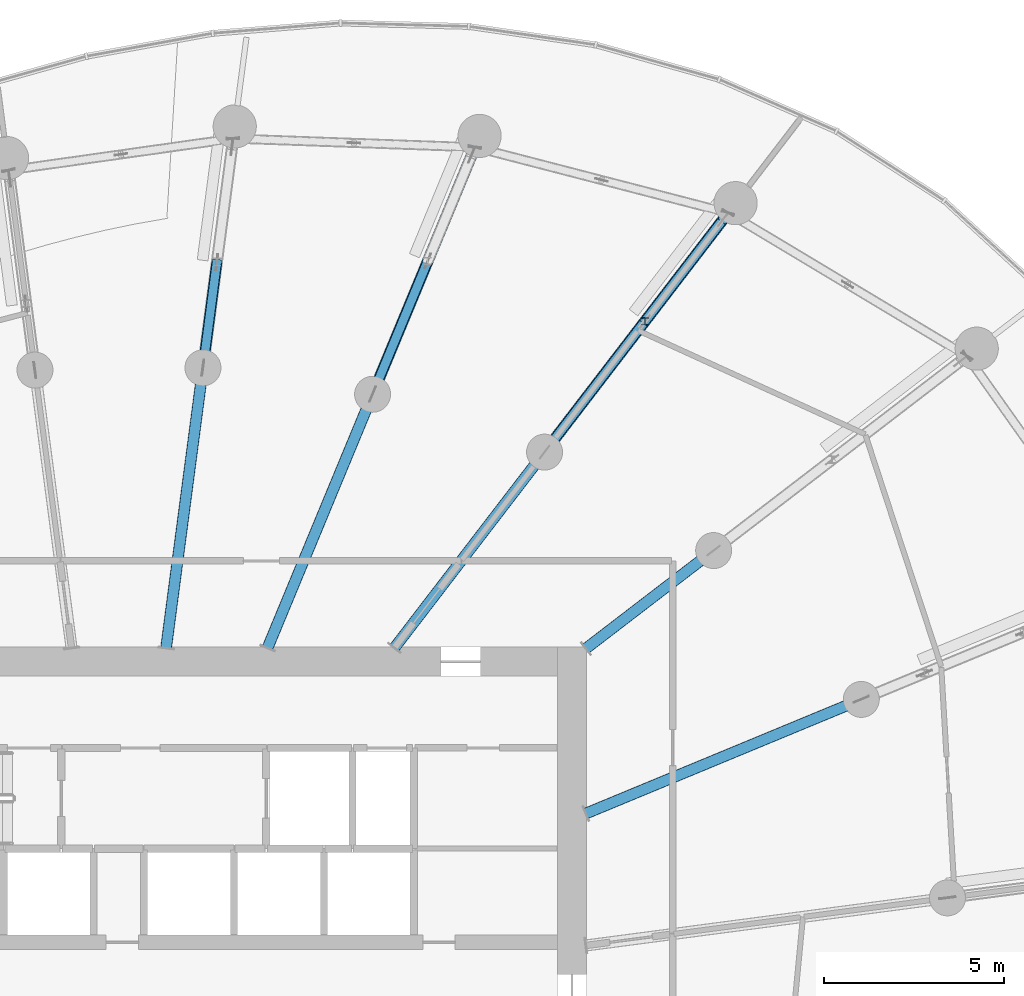
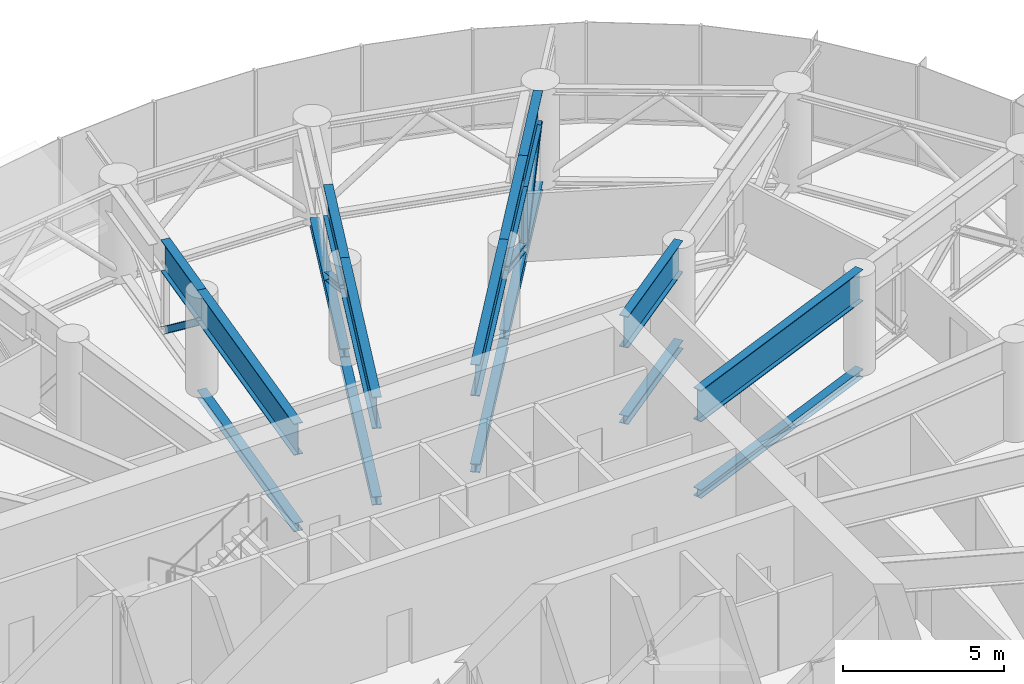
# One storey, part 10 of 33: 12 members, 9 beams.
"""IFC4 building model written with IfcOpenShell, lengths in metres."""

from ifc_helpers import new_model, si_unit, direction, frame, origin, origin_2d, place, context, subcontext, project, spatial, i_section, extrude, source, transform, mapped, material, material_profile, profile_set, type_object, element, save


model = new_model("IFC4")

# Units and contexts
model_context = context("Model", 3, precision=1e-05, world=origin(), true_north=direction((0.0, 1.0)))
body_context = subcontext(model_context, "Body", "Model", "MODEL_VIEW")
ifc_project = project(units=[si_unit("LENGTHUNIT", "METRE"), si_unit("AREAUNIT", "SQUARE_METRE"), si_unit("VOLUMEUNIT", "CUBIC_METRE"), si_unit("PLANEANGLEUNIT", "RADIAN"), si_unit("MASSUNIT", "GRAM", prefix="KILO")], contexts=[model_context])

# Site, building, storey
site_placement = place(None, origin())
site = spatial("IfcSite", under=ifc_project, at=site_placement, CompositionType="ELEMENT")
building_placement = place(site_placement, origin())
building = spatial("IfcBuilding", under=site, at=building_placement, Name="Spindrift Exchange Tower", CompositionType="ELEMENT")
storey_placement = place(building_placement, frame((0.0, 0.0, 129.0)))
storey = spatial("IfcBuildingStorey", under=building, at=storey_placement, Name="L30", CompositionType="ELEMENT", Elevation=129.0)

# Beams
ifc_material = material(Name="Steel Grade 300", Category="steel")
ifc_material_profile_1 = material_profile(ifc_material, i_section(OverallWidth=0.300048828125, OverallDepth=1.199951171875, WebThickness=0.011962890625, FlangeThickness=0.028076171875, at=origin_2d()), Name="1200WB249")
ifc_profile_set_1 = profile_set([ifc_material_profile_1], Name="Steel Grade 300")
beam_type = type_object("IfcBeamType", Name="Outrigger Truss Transfer Girder 1200WB249 Steel Grade 300", PredefinedType="BEAM", material=ifc_profile_set_1)
shared_shape_1 = source(origin(), body_context, "Body", "SweptSolid", [
    extrude(i_section(OverallWidth=0.300048828125, OverallDepth=1.199951171875, WebThickness=0.011962890625, FlangeThickness=0.028076171875, at=origin_2d()), origin(), (0.0, 0.0, 1.0), 8.288818359375),
])
beam_1_placement = place(storey_placement, frame((64.9814453125, 53.377197265625, 3.179931640625), z_axis=(0.923886163861, 0.382667422478, 0.0), x_axis=(-0.382667422478, 0.923886163861, 0.0)))
element("IfcBeam", 1, at=beam_1_placement, inside=storey, type_object=beam_type, Name="L30 outrigger truss 02 top chord 1", PredefinedType="BEAM", context=body_context, shape_type="MappedRepresentation", body=[
    mapped(shared_shape_1, transform((0.0, 0.0, 0.0), scale=1.0)),
])
shared_shape_2 = source(origin(), body_context, "Body", "SweptSolid", [
    extrude(i_section(OverallWidth=0.300048828125, OverallDepth=1.199951171875, WebThickness=0.011962890625, FlangeThickness=0.028076171875, at=origin_2d()), origin(), (0.0, 0.0, 1.0), 4.4755859375),
])
beam_2_placement = place(storey_placement, frame((64.984130859375, 57.963134765625, 3.179931640625), z_axis=(0.793379783148, 0.608726966457, 0.0), x_axis=(-0.608726966457, 0.793379783148, 0.0)))
element("IfcBeam", 2, at=beam_2_placement, inside=storey, type_object=beam_type, Name="L30 outrigger truss 03 top chord 1", PredefinedType="BEAM", context=body_context, shape_type="MappedRepresentation", body=[
    mapped(shared_shape_2, transform((0.0, 0.0, 0.0), scale=1.0)),
])
shared_shape_3 = source(origin(), body_context, "Body", "SweptSolid", [
    extrude(i_section(OverallWidth=0.300048828125, OverallDepth=1.199951171875, WebThickness=0.011962890625, FlangeThickness=0.028076171875, at=origin_2d()), origin(), (0.0, 0.0, 1.0), 6.856689453125),
])
beam_3_placement = place(storey_placement, frame((59.6611328125, 57.984130859375, 3.179931640625), z_axis=(0.608765628414, 0.793350117956, 0.0), x_axis=(-0.793350117956, 0.608765628414, 0.0)))
element("IfcBeam", 3, at=beam_3_placement, inside=storey, type_object=beam_type, Name="L30 outrigger truss 04 top chord 1", PredefinedType="BEAM", context=body_context, shape_type="MappedRepresentation", body=[
    mapped(shared_shape_3, transform((0.0, 0.0, 0.0), scale=1.0)),
])
shared_shape_4 = source(origin(), body_context, "Body", "SweptSolid", [
    extrude(i_section(OverallWidth=0.300048828125, OverallDepth=1.199951171875, WebThickness=0.011962890625, FlangeThickness=0.028076171875, at=origin_2d()), origin(), (0.0, 0.0, 1.0), 7.630615234375),
])
beam_4_placement = place(storey_placement, frame((56.134521484375, 57.9814453125, 3.179931640625), z_axis=(0.382688052328, 0.923877618846, 0.0), x_axis=(-0.923877618846, 0.382688052328, 0.0)))
element("IfcBeam", 4, at=beam_4_placement, inside=storey, type_object=beam_type, Name="L30 outrigger truss 05 top chord 1", PredefinedType="BEAM", context=body_context, shape_type="MappedRepresentation", body=[
    mapped(shared_shape_4, transform((0.0, 0.0, 0.0), scale=1.0)),
])
shared_shape_5 = source(origin(), body_context, "Body", "SweptSolid", [
    extrude(i_section(OverallWidth=0.300048828125, OverallDepth=1.199951171875, WebThickness=0.011962890625, FlangeThickness=0.028076171875, at=origin_2d()), origin(), (0.0, 0.0, 1.0), 7.854248046875),
])
beam_5_placement = place(storey_placement, frame((53.31396484375, 57.980224609375, 3.179931640625), z_axis=(0.130520446117, 0.991445617846, 0.0), x_axis=(-0.991445617846, 0.130520446117, 0.0)))
element("IfcBeam", 5, at=beam_5_placement, inside=storey, type_object=beam_type, Name="L30 outrigger truss 06 top chord 1", PredefinedType="BEAM", context=body_context, shape_type="MappedRepresentation", body=[
    mapped(shared_shape_5, transform((0.0, 0.0, 0.0), scale=1.0)),
])

# Members
ifc_material_profile_2 = material_profile(ifc_material, i_section(OverallWidth=0.30908203125, OverallDepth=0.321044921875, WebThickness=0.013916015625, FlangeThickness=0.021728515625, FilletRadius=0.0166015625, at=origin_2d()), Name="310UC137")
ifc_profile_set_2 = profile_set([ifc_material_profile_2], Name="Steel Grade 300")
member_type_1 = type_object("IfcMemberType", Name="Outrigger Truss Chord 310UC137 Steel Grade 300", PredefinedType="CHORD", material=ifc_profile_set_2)
shared_shape_6 = source(origin(), body_context, "Body", "SweptSolid", [
    extrude(i_section(OverallWidth=0.30908203125, OverallDepth=0.321044921875, WebThickness=0.013916015625, FlangeThickness=0.021728515625, FilletRadius=0.0166015625, at=origin_2d()), origin(), (0.0, 0.0, 1.0), 8.288818359375),
])
member_1_placement = place(storey_placement, frame((64.9814453125, 53.377197265625, -0.160400390625), z_axis=(0.923886163861, 0.382667422478, 0.0), x_axis=(-0.382667422478, 0.923886163861, 0.0)))
element("IfcMember", 6, at=member_1_placement, inside=storey, type_object=member_type_1, Name="L30 outrigger truss 02 bottom chord 1", PredefinedType="CHORD", context=body_context, shape_type="MappedRepresentation", body=[
    mapped(shared_shape_6, transform((0.0, 0.0, 0.0), scale=1.0)),
])
ifc_material_profile_3 = material_profile(ifc_material, i_section(OverallWidth=0.202880859375, OverallDepth=0.202880859375, WebThickness=0.00732421875, FlangeThickness=0.010986328125, FilletRadius=0.012939453125, at=origin_2d()), Name="200UC46.2")
ifc_profile_set_3 = profile_set([ifc_material_profile_3], Name="Steel Grade 300")
member_type_2 = type_object("IfcMemberType", Name="Outrigger Truss Post 200UC46.2 Steel Grade 300", PredefinedType="POST", material=ifc_profile_set_3)
shared_shape_7 = source(origin(), body_context, "Body", "SweptSolid", [
    extrude(i_section(OverallWidth=0.202880859375, OverallDepth=0.202880859375, WebThickness=0.00732421875, FlangeThickness=0.010986328125, FilletRadius=0.012939453125, at=origin_2d()), origin(), (0.0, 0.0, 1.0), 2.259033203125),
])
member_2_placement = place(storey_placement, frame((66.625, 67.0595703125, 0.321044921875), z_axis=(0.0, 0.0, 1.0), x_axis=(1.0, 0.0, 0.0)))
element("IfcMember", 7, at=member_2_placement, inside=storey, type_object=member_type_2, Name="L30 outrigger truss 04 post 2", PredefinedType="POST", context=body_context, shape_type="MappedRepresentation", body=[
    mapped(shared_shape_7, transform((0.0, 0.0, 0.0), scale=1.0)),
])
shared_shape_8 = source(origin(), body_context, "Body", "SweptSolid", [
    extrude(i_section(OverallWidth=0.30908203125, OverallDepth=0.321044921875, WebThickness=0.013916015625, FlangeThickness=0.021728515625, FilletRadius=0.0166015625, at=origin_2d()), origin(), (0.0, 0.0, 1.0), 4.4755859375),
])
member_3_placement = place(storey_placement, frame((64.984130859375, 57.963134765625, -0.160400390625), z_axis=(0.793379783148, 0.608726966457, 0.0), x_axis=(-0.608726966457, 0.793379783148, 0.0)))
element("IfcMember", 8, at=member_3_placement, inside=storey, type_object=member_type_1, Name="L30 outrigger truss 03 bottom chord 1", PredefinedType="CHORD", context=body_context, shape_type="MappedRepresentation", body=[
    mapped(shared_shape_8, transform((0.0, 0.0, 0.0), scale=1.0)),
])
shared_shape_9 = source(origin(), body_context, "Body", "SweptSolid", [
    extrude(i_section(OverallWidth=0.30908203125, OverallDepth=0.321044921875, WebThickness=0.013916015625, FlangeThickness=0.021728515625, FilletRadius=0.0166015625, at=origin_2d()), origin(), (0.0, 0.0, 1.0), 6.856689453125),
])
member_4_placement = place(storey_placement, frame((59.6611328125, 57.984130859375, -0.160400390625), z_axis=(0.608765628414, 0.793350117956, 0.0), x_axis=(-0.793350117956, 0.608765628414, 0.0)))
element("IfcMember", 9, at=member_4_placement, inside=storey, type_object=member_type_1, Name="L30 outrigger truss 04 bottom chord 1", PredefinedType="CHORD", context=body_context, shape_type="MappedRepresentation", body=[
    mapped(shared_shape_9, transform((0.0, 0.0, 0.0), scale=1.0)),
])

# Beam
shared_shape_10 = source(origin(), body_context, "Body", "SweptSolid", [
    extrude(i_section(OverallWidth=0.300048828125, OverallDepth=1.199951171875, WebThickness=0.011962890625, FlangeThickness=0.028076171875, at=origin_2d()), origin(), (0.0, 0.0, 1.0), 4.582763671875),
])
beam_6_placement = place(storey_placement, frame((63.835205078125, 63.423828125, 3.179931640625), z_axis=(0.60876030555, 0.79335420235, 0.0), x_axis=(-0.79335420235, 0.60876030555, 0.0)))
element("IfcBeam", 10, at=beam_6_placement, inside=storey, type_object=beam_type, Name="L30 outrigger truss 04 top chord 2", PredefinedType="BEAM", context=body_context, shape_type="MappedRepresentation", body=[
    mapped(shared_shape_10, transform((0.0, 0.0, 0.0), scale=1.0)),
])

# Members
shared_shape_11 = source(origin(), body_context, "Body", "SweptSolid", [
    extrude(i_section(OverallWidth=0.30908203125, OverallDepth=0.321044921875, WebThickness=0.013916015625, FlangeThickness=0.021728515625, FilletRadius=0.0166015625, at=origin_2d()), origin(), (0.0, 0.0, 1.0), 8.143798828125),
])
member_5_placement = place(storey_placement, frame((63.835205078125, 63.423828125, 0.160400390625), z_axis=(0.608751213098, 0.793361179131, 0.0), x_axis=(-0.793361179131, 0.608751213098, 0.0)))
element("IfcMember", 11, at=member_5_placement, inside=storey, type_object=member_type_1, Name="L30 outrigger truss 04 bottom chord 2", PredefinedType="CHORD", context=body_context, shape_type="MappedRepresentation", body=[
    mapped(shared_shape_11, transform((0.0, 0.0, 0.0), scale=1.0)),
])
ifc_material_profile_4 = material_profile(ifc_material, i_section(OverallWidth=0.25390625, OverallDepth=0.25390625, WebThickness=0.008544921875, FlangeThickness=0.01416015625, FilletRadius=0.011962890625, at=origin_2d()), Name="250UC72.9")
ifc_profile_set_4 = profile_set([ifc_material_profile_4], Name="Steel Grade 300")
member_type_3 = type_object("IfcMemberType", Name="Outrigger Truss Diagonal 250UC72.9 Steel Grade 300", PredefinedType="BRACE", material=ifc_profile_set_4)
shared_shape_12 = source(origin(), body_context, "Body", "SweptSolid", [
    extrude(i_section(OverallWidth=0.25390625, OverallDepth=0.25390625, WebThickness=0.008544921875, FlangeThickness=0.01416015625, FilletRadius=0.011962890625, at=origin_2d()), origin(), (0.0, 0.0, 1.0), 5.109375),
])
member_6_placement = place(storey_placement, frame((63.835205078125, 63.423828125, 2.580078125), z_axis=(0.546024371921, 0.711594902131, -0.442142602029), x_axis=(-0.79335420235, 0.60876030555, 0.0)))
element("IfcMember", 12, at=member_6_placement, inside=storey, type_object=member_type_3, Name="L30 outrigger truss 04 diagonal 2", PredefinedType="BRACE", context=body_context, shape_type="MappedRepresentation", body=[
    mapped(shared_shape_12, transform((0.0, 0.0, 0.0), scale=1.0)),
])

# Beam
shared_shape_13 = source(origin(), body_context, "Body", "SweptSolid", [
    extrude(i_section(OverallWidth=0.300048828125, OverallDepth=1.199951171875, WebThickness=0.011962890625, FlangeThickness=0.028076171875, at=origin_2d()), origin(), (0.0, 0.0, 1.0), 3.56103515625),
])
beam_7_placement = place(storey_placement, frame((66.625, 67.0595703125, 3.179931640625), z_axis=(0.608739511674, 0.793370157573, 0.0), x_axis=(-0.793370157573, 0.608739511674, 0.0)))
element("IfcBeam", 13, at=beam_7_placement, inside=storey, type_object=beam_type, Name="L30 outrigger truss 04 top chord 3", PredefinedType="BEAM", context=body_context, shape_type="MappedRepresentation", body=[
    mapped(shared_shape_13, transform((0.0, 0.0, 0.0), scale=1.0)),
])

# Members
shared_shape_14 = source(origin(), body_context, "Body", "SweptSolid", [
    extrude(i_section(OverallWidth=0.25390625, OverallDepth=0.25390625, WebThickness=0.008544921875, FlangeThickness=0.01416015625, FilletRadius=0.011962890625, at=origin_2d()), origin(), (0.0, 0.0, 1.0), 4.217041015625),
])
member_7_placement = place(storey_placement, frame((66.625, 67.0595703125, 0.321044921875), z_axis=(0.514031236395, 0.669936869868, 0.535683188463), x_axis=(-0.793370157573, 0.608739511674, 0.0)))
element("IfcMember", 14, at=member_7_placement, inside=storey, type_object=member_type_3, Name="L30 outrigger truss 04 diagonal 3", PredefinedType="BRACE", context=body_context, shape_type="MappedRepresentation", body=[
    mapped(shared_shape_14, transform((0.0, 0.0, 0.0), scale=1.0)),
])
shared_shape_15 = source(origin(), body_context, "Body", "SweptSolid", [
    extrude(i_section(OverallWidth=0.30908203125, OverallDepth=0.321044921875, WebThickness=0.013916015625, FlangeThickness=0.021728515625, FilletRadius=0.0166015625, at=origin_2d()), origin(), (0.0, 0.0, 1.0), 7.630615234375),
])
member_8_placement = place(storey_placement, frame((56.134521484375, 57.9814453125, -0.160400390625), z_axis=(0.382688052328, 0.923877618846, 0.0), x_axis=(-0.923877618846, 0.382688052328, 0.0)))
element("IfcMember", 15, at=member_8_placement, inside=storey, type_object=member_type_1, Name="L30 outrigger truss 05 bottom chord 1", PredefinedType="CHORD", context=body_context, shape_type="MappedRepresentation", body=[
    mapped(shared_shape_15, transform((0.0, 0.0, 0.0), scale=1.0)),
])

# Beam
shared_shape_16 = source(origin(), body_context, "Body", "SweptSolid", [
    extrude(i_section(OverallWidth=0.300048828125, OverallDepth=1.199951171875, WebThickness=0.011962890625, FlangeThickness=0.028076171875, at=origin_2d()), origin(), (0.0, 0.0, 1.0), 4.00439453125),
])
beam_8_placement = place(storey_placement, frame((59.0546875, 65.03125, 3.179931640625), z_axis=(0.382631792224, 0.923900920867, 0.0), x_axis=(-0.923900920867, 0.382631792224, 0.0)))
element("IfcBeam", 16, at=beam_8_placement, inside=storey, type_object=beam_type, Name="L30 outrigger truss 05 top chord 2", PredefinedType="BEAM", context=body_context, shape_type="MappedRepresentation", body=[
    mapped(shared_shape_16, transform((0.0, 0.0, 0.0), scale=1.0)),
])

# Members
shared_shape_17 = source(origin(), body_context, "Body", "SweptSolid", [
    extrude(i_section(OverallWidth=0.30908203125, OverallDepth=0.321044921875, WebThickness=0.013916015625, FlangeThickness=0.021728515625, FilletRadius=0.0166015625, at=origin_2d()), origin(), (0.0, 0.0, 1.0), 7.1923828125),
])
member_9_placement = place(storey_placement, frame((59.0546875, 65.03125, 0.160400390625), z_axis=(0.382652583252, 0.923892310029, 0.0), x_axis=(-0.923892310029, 0.382652583252, 0.0)))
element("IfcMember", 17, at=member_9_placement, inside=storey, type_object=member_type_1, Name="L30 outrigger truss 05 bottom chord 2", PredefinedType="CHORD", context=body_context, shape_type="MappedRepresentation", body=[
    mapped(shared_shape_17, transform((0.0, 0.0, 0.0), scale=1.0)),
])
shared_shape_18 = source(origin(), body_context, "Body", "SweptSolid", [
    extrude(i_section(OverallWidth=0.25390625, OverallDepth=0.25390625, WebThickness=0.008544921875, FlangeThickness=0.01416015625, FilletRadius=0.011962890625, at=origin_2d()), origin(), (0.0, 0.0, 1.0), 4.59765625),
])
member_10_placement = place(storey_placement, frame((59.0546875, 65.03125, 2.580078125), z_axis=(0.333259864527, 0.804687697108, -0.491340587392), x_axis=(-0.923900920867, 0.382631792224, 0.0)))
element("IfcMember", 18, at=member_10_placement, inside=storey, type_object=member_type_3, Name="L30 outrigger truss 05 diagonal 2", PredefinedType="BRACE", context=body_context, shape_type="MappedRepresentation", body=[
    mapped(shared_shape_18, transform((0.0, 0.0, 0.0), scale=1.0)),
])
shared_shape_19 = source(origin(), body_context, "Body", "SweptSolid", [
    extrude(i_section(OverallWidth=0.30908203125, OverallDepth=0.321044921875, WebThickness=0.013916015625, FlangeThickness=0.021728515625, FilletRadius=0.0166015625, at=origin_2d()), origin(), (0.0, 0.0, 1.0), 7.854248046875),
])
member_11_placement = place(storey_placement, frame((53.31396484375, 57.980224609375, -0.160400390625), z_axis=(0.130520446117, 0.991445617846, 0.0), x_axis=(-0.991445617846, 0.130520446117, 0.0)))
element("IfcMember", 19, at=member_11_placement, inside=storey, type_object=member_type_1, Name="L30 outrigger truss 06 bottom chord 1", PredefinedType="CHORD", context=body_context, shape_type="MappedRepresentation", body=[
    mapped(shared_shape_19, transform((0.0, 0.0, 0.0), scale=1.0)),
])

# Beam
shared_shape_20 = source(origin(), body_context, "Body", "SweptSolid", [
    extrude(i_section(OverallWidth=0.300048828125, OverallDepth=1.199951171875, WebThickness=0.011962890625, FlangeThickness=0.028076171875, at=origin_2d()), origin(), (0.0, 0.0, 1.0), 2.96337890625),
])
beam_9_placement = place(storey_placement, frame((54.339111328125, 65.767333984375, 3.179931640625), z_axis=(0.130501398564, 0.991448125205, 0.0), x_axis=(-0.991448125205, 0.130501398564, 0.0)))
element("IfcBeam", 20, at=beam_9_placement, inside=storey, type_object=beam_type, Name="L30 outrigger truss 06 top chord 2", PredefinedType="BEAM", context=body_context, shape_type="MappedRepresentation", body=[
    mapped(shared_shape_20, transform((0.0, 0.0, 0.0), scale=1.0)),
])

# Member
shared_shape_21 = source(origin(), body_context, "Body", "SweptSolid", [
    extrude(i_section(OverallWidth=0.25390625, OverallDepth=0.25390625, WebThickness=0.008544921875, FlangeThickness=0.01416015625, FilletRadius=0.011962890625, at=origin_2d()), origin(), (0.0, 0.0, 1.0), 3.726318359375),
])
member_12_placement = place(storey_placement, frame((54.339111328125, 65.767333984375, 2.580078125), z_axis=(0.103783713668, 0.788467935786, -0.606256756675), x_axis=(-0.991448125205, 0.130501398564, 0.0)))
element("IfcMember", 21, at=member_12_placement, inside=storey, type_object=member_type_3, Name="L30 outrigger truss 06 diagonal 2", PredefinedType="BRACE", context=body_context, shape_type="MappedRepresentation", body=[
    mapped(shared_shape_21, transform((0.0, 0.0, 0.0), scale=1.0)),
])

save(model, "model.ifc")
